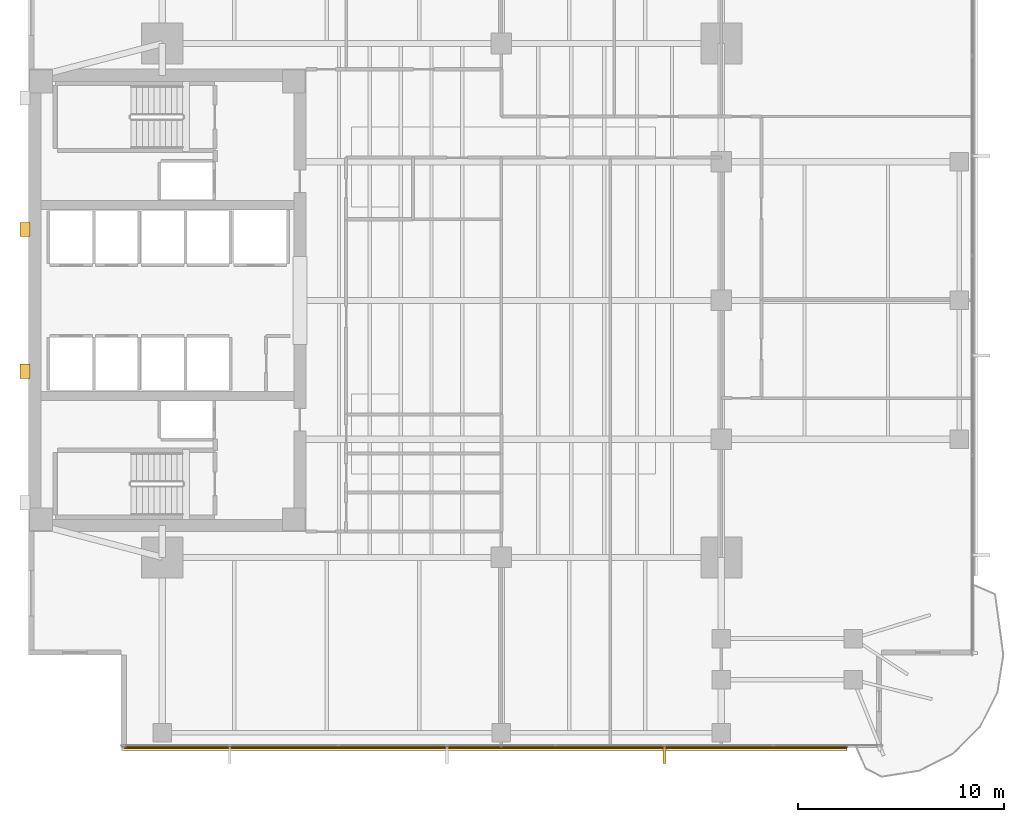
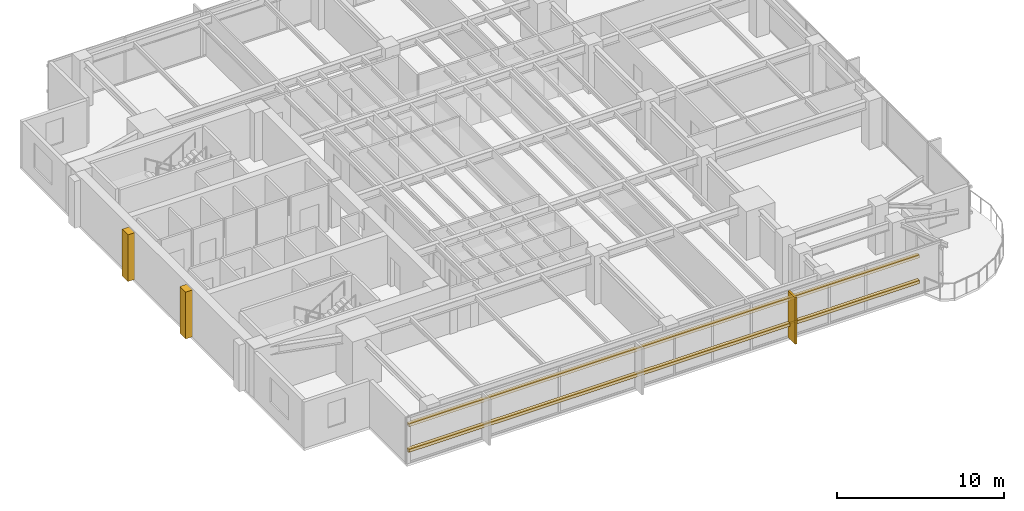
# One storey, part 12 of 14: 5 coverings, 2 shading devices.
"""IFC4 building model written with IfcOpenShell, lengths in metres."""

import ifcopenshell
import ifcopenshell.guid

model = None  # the IFC model being written
_history = None  # IfcOwnerHistory: only IFC2X3 demands one
_inside = {}  # id of a spatial element -> (the spatial element, [elements in it])
_under = {}  # id of a project, library or spatial element -> (it, [spatial elements below it])
_declared = {}  # id of a project -> (the project, [libraries it declares])
_typed = {}  # id of a type object -> (the type object, [elements of that type])
_made_of = {}  # id of a material, layer set ... -> (it, [elements and type objects made of it])


def new_model(schema):
    """Start an empty IFC model of exactly this schema.

    Asked for "IFC4X3", IfcOpenShell would pick the latest addendum, in which some entities
    have other attributes; the version numbers below select the first issue.
    IFC2X3 requires an IfcOwnerHistory on every rooted entity: one is made here for all.
    """
    global model, _history
    if schema == "IFC4X3":
        model = ifcopenshell.file(schema_version=(4, 3, 0, 0))
    else:
        model = ifcopenshell.file(schema=schema)
    _inside.clear()
    _under.clear()
    _declared.clear()
    _typed.clear()
    _made_of.clear()
    _history = None
    if model.schema == "IFC2X3":
        org = make("IfcOrganization", Name="unknown")
        user = make(
            "IfcPersonAndOrganization",
            ThePerson=make("IfcPerson", FamilyName="unknown"),
            TheOrganization=org,
        )
        app = make(
            "IfcApplication",
            ApplicationDeveloper=org,
            Version="unknown",
            ApplicationFullName="unknown",
            ApplicationIdentifier="unknown",
        )
        _history = make(
            "IfcOwnerHistory",
            OwningUser=user,
            OwningApplication=app,
            ChangeAction="ADDED",
            CreationDate=0,
        )
    return model


def make(cls, **values):
    """One entity of the class cls with the attributes given. An attribute that is None is left unset."""
    return model.create_entity(
        cls, **{name: value for name, value in values.items() if value is not None}
    )


def rooted(cls, **values):
    """An entity with a GlobalId (a new one), such as an element, a storey or a relation."""
    return make(cls, GlobalId=ifcopenshell.guid.new(), OwnerHistory=_history, **values)


def si_unit(unit_type, name, prefix=None):
    """IfcSIUnit, for example si_unit("LENGTHUNIT", "METRE", prefix="MILLI")."""
    return make("IfcSIUnit", UnitType=unit_type, Prefix=prefix, Name=name)


def assignment(units):
    """IfcUnitAssignment: the units of a project."""
    return None if units is None else make("IfcUnitAssignment", Units=units)


def point(xyz):
    """IfcCartesianPoint."""
    return None if xyz is None else make("IfcCartesianPoint", Coordinates=xyz)


def direction(xyz):
    """IfcDirection."""
    return None if xyz is None else make("IfcDirection", DirectionRatios=xyz)


def frame(location, z_axis=None, x_axis=None):
    """IfcAxis2Placement3D, a coordinate frame: its origin and axes. An axis left out is left unset."""
    return make(
        "IfcAxis2Placement3D",
        Location=point(location),
        Axis=direction(z_axis),
        RefDirection=direction(x_axis),
    )


def frame_2d(location, x_axis=None):
    """IfcAxis2Placement2D, a coordinate frame in the plane: its origin and x axis."""
    return make(
        "IfcAxis2Placement2D", Location=point(location), RefDirection=direction(x_axis)
    )


def origin():
    """The frame at (0, 0, 0) with its axes left unset."""
    return frame((0.0, 0.0, 0.0))


def origin_2d():
    """The frame at (0, 0) in the plane with its x axis left unset."""
    return frame_2d((0.0, 0.0))


def place(relative_to, where):
    """IfcLocalPlacement: puts the frame where relative to a parent placement (None: the world)."""
    return make(
        "IfcLocalPlacement", PlacementRelTo=relative_to, RelativePlacement=where
    )


def context(
    kind, dimensions, precision=None, world=None, true_north=None, identifier=None
):
    """IfcGeometricRepresentationContext, for example the 3D "Model" context."""
    return make(
        "IfcGeometricRepresentationContext",
        ContextIdentifier=identifier,
        ContextType=kind,
        CoordinateSpaceDimension=dimensions,
        Precision=precision,
        WorldCoordinateSystem=world,
        TrueNorth=true_north,
    )


def subcontext(parent, identifier, kind, view, scale=None):
    """IfcGeometricRepresentationSubContext, for example "Body" below "Model"."""
    return make(
        "IfcGeometricRepresentationSubContext",
        ContextIdentifier=identifier,
        ContextType=kind,
        ParentContext=parent,
        TargetScale=scale,
        TargetView=view,
    )


def project(units=None, contexts=None):
    """IfcProject with its units and contexts."""
    return rooted(
        "IfcProject",
        Name="project",
        RepresentationContexts=contexts,
        UnitsInContext=assignment(units),
    )


def spatial(cls, under=None, at=None, **own):
    """A site, building, storey or space (cls), placed at a placement, below another one or the project."""
    s = rooted(cls, ObjectPlacement=at, **own)
    if under is not None:
        _under.setdefault(under.id(), (under, []))[1].append(s)
    return s


def polyline(points):
    """IfcPolyline through the points."""
    return make("IfcPolyline", Points=[point(p) for p in points])


def profile(cls, at=None, kind="AREA", **sizes):
    """A parametric profile (cls). Its sizes go by their IFC names, for example OverallWidth=200.0."""
    return make(cls, ProfileType=kind, Position=at, **sizes)


def rectangle(**sizes):
    """IfcRectangleProfileDef."""
    return profile("IfcRectangleProfileDef", **sizes)


def outline(outer, holes=None, kind="AREA"):
    """IfcArbitraryClosedProfileDef: a profile drawn as a closed curve; with holes, ...WithVoids."""
    if holes is None:
        return make("IfcArbitraryClosedProfileDef", ProfileType=kind, OuterCurve=outer)
    return make(
        "IfcArbitraryProfileDefWithVoids",
        ProfileType=kind,
        OuterCurve=outer,
        InnerCurves=holes,
    )


def extrude(swept, where, along, depth):
    """IfcExtrudedAreaSolid: the profile swept, set in the frame where, extruded along a direction by depth."""
    return make(
        "IfcExtrudedAreaSolid",
        SweptArea=swept,
        Position=where,
        ExtrudedDirection=direction(along),
        Depth=depth,
    )


def shape(context_of_items, identifier, shape_type, items):
    """IfcShapeRepresentation: the items that make up one representation, for example the "Body"."""
    return make(
        "IfcShapeRepresentation",
        ContextOfItems=context_of_items,
        RepresentationIdentifier=identifier,
        RepresentationType=shape_type,
        Items=items,
    )


def material(Name=None, Category=None):
    """IfcMaterial."""
    return make("IfcMaterial", Name=Name, Category=Category)


def layer(
    of_material, thickness, ventilated=None, Name=None, Category=None, Priority=None
):
    """IfcMaterialLayer: one layer of a wall or slab, of a material (None: an air gap)."""
    return make(
        "IfcMaterialLayer",
        Material=of_material,
        LayerThickness=thickness,
        IsVentilated=ventilated,
        Name=Name,
        Category=Category,
        Priority=Priority,
    )


def layer_set(layers, Name=None):
    """IfcMaterialLayerSet."""
    return make("IfcMaterialLayerSet", MaterialLayers=layers, LayerSetName=Name)


def material_profile(
    of_material, cross_section, Name=None, Category=None, Priority=None
):
    """IfcMaterialProfile: a cross section and its material."""
    return make(
        "IfcMaterialProfile",
        Name=Name,
        Material=of_material,
        Profile=cross_section,
        Priority=Priority,
        Category=Category,
    )


def profile_set(profiles, Name=None, composite=None):
    """IfcMaterialProfileSet."""
    return make(
        "IfcMaterialProfileSet",
        Name=Name,
        MaterialProfiles=profiles,
        CompositeProfile=composite,
    )


def made_of(thing, what):
    """Note that an element or type object is made of a material, layer set ...; save() writes the relation."""
    if what is not None:
        _made_of.setdefault(what.id(), (what, []))[1].append(thing)
    return thing


def type_object(cls, material=None, **own):
    """A type object (cls), such as IfcWallType, which elements share."""
    return made_of(rooted(cls, **own), material)


def element(
    cls,
    number,
    at=None,
    inside=None,
    cuts=None,
    type_object=None,
    material=None,
    context=None,
    identifier="Body",
    shape_type=None,
    held_by="IfcProductDefinitionShape",
    body=None,
    shapes=None,
    **own,
):
    """One element of the class cls, such as IfcWall. Its Tag is "e" and its number.

    at: its placement. inside: the storey or other place that contains it. cuts: it is an
    opening in that element (IfcRelVoidsElement). A single representation is given by context,
    identifier, shape_type and body (its items); several are given by shapes. held_by: the class
    of the entity that holds the representations. save() writes the other relations.
    """
    e = rooted(cls, Tag="e%d" % number, ObjectPlacement=at, **own)
    if body is not None:
        shapes = [shape(context, identifier, shape_type, body)]
    if shapes is not None:
        e.Representation = make(held_by, Representations=shapes)
    if inside is not None:
        _inside.setdefault(inside.id(), (inside, []))[1].append(e)
    if cuts is not None:
        rooted(
            "IfcRelVoidsElement", RelatingBuildingElement=cuts, RelatedOpeningElement=e
        )
    if type_object is not None:
        _typed.setdefault(type_object.id(), (type_object, []))[1].append(e)
    return made_of(e, material)


def aggregate(whole, parts):
    """IfcRelAggregates: a whole, such as a stair, and the parts it consists of."""
    return rooted("IfcRelAggregates", RelatingObject=whole, RelatedObjects=parts)


def save(model, path):
    """Write the relations noted so far, then the file.

    IfcRelAggregates (storeys below a building ...), IfcRelContainedInSpatialStructure (elements
    in a storey), IfcRelDefinesByType, IfcRelAssociatesMaterial and IfcRelDeclares: one each for
    every whole, place, type object, material and project.
    """
    for whole, parts in _under.values():
        aggregate(whole, parts)
    for where, things in _inside.values():
        rooted(
            "IfcRelContainedInSpatialStructure",
            RelatedElements=things,
            RelatingStructure=where,
        )
    for kind, things in _typed.values():
        rooted("IfcRelDefinesByType", RelatedObjects=things, RelatingType=kind)
    for what, things in _made_of.values():
        rooted("IfcRelAssociatesMaterial", RelatedObjects=things, RelatingMaterial=what)
    for by, libraries in _declared.values():
        rooted("IfcRelDeclares", RelatingContext=by, RelatedDefinitions=libraries)
    model.write(path)


model = new_model("IFC4")

# Units and contexts
model_context = context("Model", 3, precision=1e-05, world=origin(), true_north=direction((0.0, 1.0)))
body_context = subcontext(model_context, "Body", "Model", "MODEL_VIEW")
ifc_project = project(units=[si_unit("LENGTHUNIT", "METRE"), si_unit("AREAUNIT", "SQUARE_METRE"), si_unit("VOLUMEUNIT", "CUBIC_METRE"), si_unit("PLANEANGLEUNIT", "RADIAN"), si_unit("MASSUNIT", "GRAM", prefix="KILO")], contexts=[model_context])

# Site, building, storey
site_placement = place(None, origin())
site = spatial("IfcSite", under=ifc_project, at=site_placement, CompositionType="ELEMENT")
building_placement = place(site_placement, origin())
building = spatial("IfcBuilding", under=site, at=building_placement, Name="Kinhvarn Gate Tower", CompositionType="ELEMENT")
storey_placement = place(building_placement, frame((0.0, 0.0, 120.0)))
storey = spatial("IfcBuildingStorey", under=building, at=storey_placement, Name="L31", CompositionType="ELEMENT", Elevation=120.0)

# Coverings
ifc_material_1 = material(Name="Fired architectural terracotta", Category="masonry")
ifc_layer_1 = layer(ifc_material_1, 0.239990234375)
ifc_layer_set_1 = layer_set([ifc_layer_1], Name="Fired architectural terracotta")
covering_type_1 = type_object("IfcCoveringType", Name="COV-BAG-220", PredefinedType="CLADDING", material=ifc_layer_set_1)
for number, where, name in (
    (1, (0.0, 0.0, 0.93994140625), "Terracotta Horizontal Sunscreen Band TBG-220 (L31)"),
    (2, (0.0, 0.0, 2.81005859375), "Terracotta Horizontal Sunscreen Band TBG-220 (L31)"),
):
    element("IfcCovering", number, at=place(storey_placement, frame(where)), inside=storey, type_object=covering_type_1, Name=name, PredefinedType="CLADDING", context=body_context, shape_type="SweptSolid", body=[
        extrude(outline(polyline([(9.0400390625, 3.570068359375), (44.31689453125, 3.570068359375), (44.31689453125, 3.330078125), (9.0400390625, 3.330078125), (9.0400390625, 3.570068359375)])), origin(), (0.0, 0.0, 1.0), 0.219970703125),
    ])
ifc_layer_2 = layer(ifc_material_1, 0.139892578125)
ifc_layer_set_2 = layer_set([ifc_layer_2], Name="Fired architectural terracotta")
covering_type_2 = type_object("IfcCoveringType", Name="COV-FIN-850", PredefinedType="CLADDING", material=ifc_layer_set_2)
covering_1_placement = place(storey_placement, frame((0.0, 0.0, -0.02001953125)))
element("IfcCovering", 3, at=covering_1_placement, inside=storey, type_object=covering_type_2, Name="Vertical Terracotta Expressive Fin TFN-850 (L31)", PredefinedType="CLADDING", context=body_context, shape_type="SweptSolid", body=[
    extrude(outline(polyline([(35.358642578125, 3.580078125), (35.49853515625, 3.580078125), (35.49853515625, 2.72998046875), (35.358642578125, 2.72998046875), (35.358642578125, 3.580078125)])), origin(), (0.0, 0.0, 1.0), 3.409912109375),
])
ifc_material_2 = material(Name="Precast white architectural concrete C40/50", Category="concrete")
ifc_layer_3 = layer(ifc_material_2, 0.47998046875)
ifc_layer_set_3 = layer_set([ifc_layer_3], Name="Precast white architectural concrete C40/50")
covering_type_3 = type_object("IfcCoveringType", Name="COV-RIB-450", PredefinedType="CLADDING", material=ifc_layer_set_3)
covering_2_placement = place(storey_placement, frame((0.0, 0.0, -0.02001953125)))
element("IfcCovering", 4, at=covering_2_placement, inside=storey, type_object=covering_type_3, Name="West Core Sculptural Concrete Relief Rib CRB-450 (L31)", PredefinedType="CLADDING", context=body_context, shape_type="SweptSolid", body=[
    extrude(outline(polyline([(4.080078125, 21.449951171875), (4.56005859375, 21.449951171875), (4.56005859375, 22.14990234375), (4.080078125, 22.14990234375), (4.080078125, 21.449951171875)])), origin(), (0.0, 0.0, 1.0), 3.409912109375),
])
covering_3_placement = place(storey_placement, frame((0.0, 0.0, -0.02001953125)))
element("IfcCovering", 5, at=covering_3_placement, inside=storey, type_object=covering_type_3, Name="West Core Sculptural Concrete Relief Rib CRB-450 (L31)", PredefinedType="CLADDING", context=body_context, shape_type="SweptSolid", body=[
    extrude(outline(polyline([(4.080078125, 28.35009765625), (4.56005859375, 28.35009765625), (4.56005859375, 29.050048828125), (4.080078125, 29.050048828125), (4.080078125, 28.35009765625)])), origin(), (0.0, 0.0, 1.0), 3.409912109375),
])

# Shading devices
ifc_material_profile = material_profile(ifc_material_1, rectangle(XDim=0.050048828125, YDim=0.1201171875, at=origin_2d()), Name="TC 50x120")
ifc_profile_set = profile_set([ifc_material_profile], Name="Fired architectural terracotta")
shading_device_type = type_object("IfcShadingDeviceType", Name="SHD-BAG-140", PredefinedType="USERDEFINED", material=ifc_profile_set)
for number, where, z_axis, x_axis, name in (
    (6, (9.0400390625, 3.5, 1.050048828125), (1.0, 0.0, 0.0), (0.0, 1.0, 0.0), "Upper Tower Terracotta Baguette Screen Rod 50x120 mm (L31)"),
    (7, (9.0400390625, 3.5, 2.919921875), (1.0, 0.0, 0.0), (0.0, 1.0, 0.0), "Upper Tower Terracotta Baguette Screen Rod 50x120 mm (L31)"),
):
    element("IfcShadingDevice", number, at=place(storey_placement, frame(where, z_axis=z_axis, x_axis=x_axis)), inside=storey, type_object=shading_device_type, Name=name, ObjectType="BAGUETTE", PredefinedType="USERDEFINED", context=body_context, shape_type="SweptSolid", body=[
        extrude(rectangle(XDim=0.050048828125, YDim=0.1201171875, at=origin_2d()), origin(), (0.0, 0.0, 1.0), 35.27685546875),
    ])

save(model, "model.ifc")
